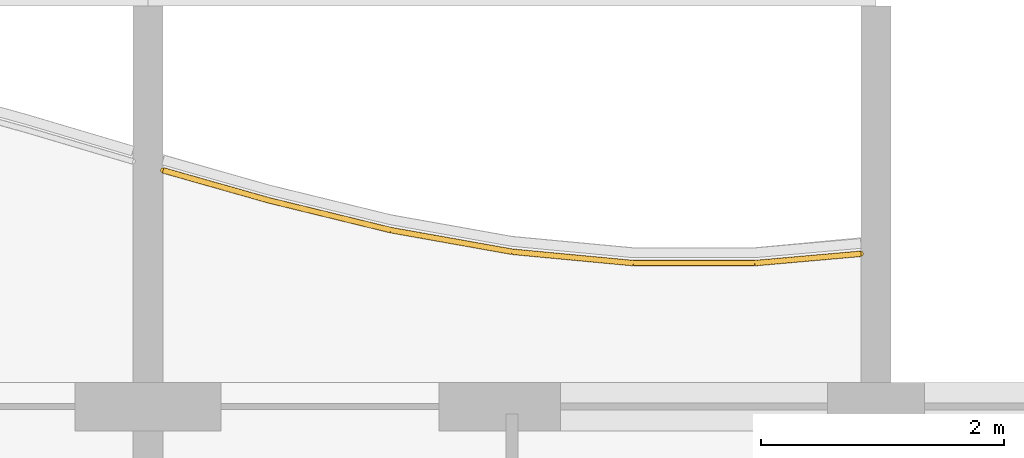
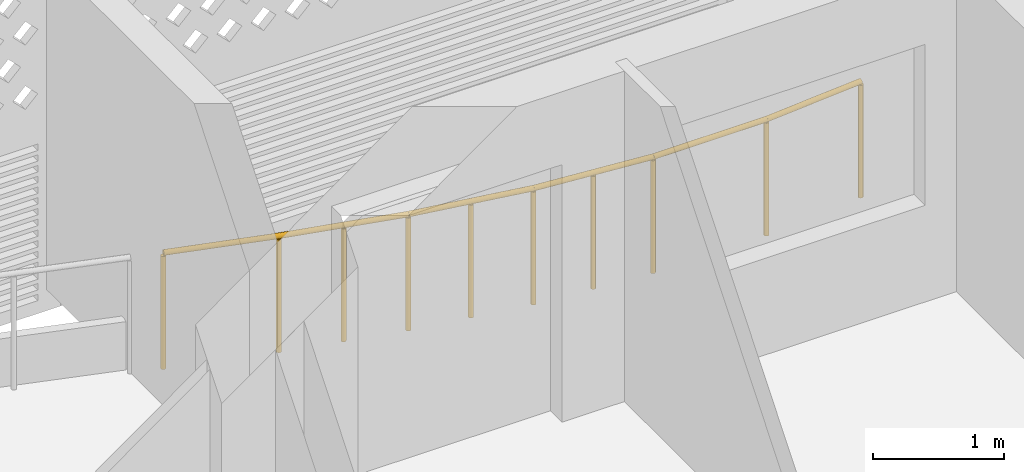
# One storey, part 22 of 27: 1 railing.
"""IFC4 building model written with IfcOpenShell, lengths in metres."""

import ifcopenshell
import ifcopenshell.guid

model = None  # the IFC model being written
_history = None  # IfcOwnerHistory: only IFC2X3 demands one
_inside = {}  # id of a spatial element -> (the spatial element, [elements in it])
_under = {}  # id of a project, library or spatial element -> (it, [spatial elements below it])
_declared = {}  # id of a project -> (the project, [libraries it declares])
_typed = {}  # id of a type object -> (the type object, [elements of that type])
_made_of = {}  # id of a material, layer set ... -> (it, [elements and type objects made of it])


def new_model(schema):
    """Start an empty IFC model of exactly this schema.

    Asked for "IFC4X3", IfcOpenShell would pick the latest addendum, in which some entities
    have other attributes; the version numbers below select the first issue.
    IFC2X3 requires an IfcOwnerHistory on every rooted entity: one is made here for all.
    """
    global model, _history
    if schema == "IFC4X3":
        model = ifcopenshell.file(schema_version=(4, 3, 0, 0))
    else:
        model = ifcopenshell.file(schema=schema)
    _inside.clear()
    _under.clear()
    _declared.clear()
    _typed.clear()
    _made_of.clear()
    _history = None
    if model.schema == "IFC2X3":
        org = make("IfcOrganization", Name="unknown")
        user = make(
            "IfcPersonAndOrganization",
            ThePerson=make("IfcPerson", FamilyName="unknown"),
            TheOrganization=org,
        )
        app = make(
            "IfcApplication",
            ApplicationDeveloper=org,
            Version="unknown",
            ApplicationFullName="unknown",
            ApplicationIdentifier="unknown",
        )
        _history = make(
            "IfcOwnerHistory",
            OwningUser=user,
            OwningApplication=app,
            ChangeAction="ADDED",
            CreationDate=0,
        )
    return model


def make(cls, **values):
    """One entity of the class cls with the attributes given. An attribute that is None is left unset."""
    return model.create_entity(
        cls, **{name: value for name, value in values.items() if value is not None}
    )


def rooted(cls, **values):
    """An entity with a GlobalId (a new one), such as an element, a storey or a relation."""
    return make(cls, GlobalId=ifcopenshell.guid.new(), OwnerHistory=_history, **values)


def si_unit(unit_type, name, prefix=None):
    """IfcSIUnit, for example si_unit("LENGTHUNIT", "METRE", prefix="MILLI")."""
    return make("IfcSIUnit", UnitType=unit_type, Prefix=prefix, Name=name)


def assignment(units):
    """IfcUnitAssignment: the units of a project."""
    return None if units is None else make("IfcUnitAssignment", Units=units)


def point(xyz):
    """IfcCartesianPoint."""
    return None if xyz is None else make("IfcCartesianPoint", Coordinates=xyz)


def direction(xyz):
    """IfcDirection."""
    return None if xyz is None else make("IfcDirection", DirectionRatios=xyz)


def frame(location, z_axis=None, x_axis=None):
    """IfcAxis2Placement3D, a coordinate frame: its origin and axes. An axis left out is left unset."""
    return make(
        "IfcAxis2Placement3D",
        Location=point(location),
        Axis=direction(z_axis),
        RefDirection=direction(x_axis),
    )


def frame_2d(location, x_axis=None):
    """IfcAxis2Placement2D, a coordinate frame in the plane: its origin and x axis."""
    return make(
        "IfcAxis2Placement2D", Location=point(location), RefDirection=direction(x_axis)
    )


def origin():
    """The frame at (0, 0, 0) with its axes left unset."""
    return frame((0.0, 0.0, 0.0))


def origin_2d():
    """The frame at (0, 0) in the plane with its x axis left unset."""
    return frame_2d((0.0, 0.0))


def place(relative_to, where):
    """IfcLocalPlacement: puts the frame where relative to a parent placement (None: the world)."""
    return make(
        "IfcLocalPlacement", PlacementRelTo=relative_to, RelativePlacement=where
    )


def context(
    kind, dimensions, precision=None, world=None, true_north=None, identifier=None
):
    """IfcGeometricRepresentationContext, for example the 3D "Model" context."""
    return make(
        "IfcGeometricRepresentationContext",
        ContextIdentifier=identifier,
        ContextType=kind,
        CoordinateSpaceDimension=dimensions,
        Precision=precision,
        WorldCoordinateSystem=world,
        TrueNorth=true_north,
    )


def subcontext(parent, identifier, kind, view, scale=None):
    """IfcGeometricRepresentationSubContext, for example "Body" below "Model"."""
    return make(
        "IfcGeometricRepresentationSubContext",
        ContextIdentifier=identifier,
        ContextType=kind,
        ParentContext=parent,
        TargetScale=scale,
        TargetView=view,
    )


def project(units=None, contexts=None):
    """IfcProject with its units and contexts."""
    return rooted(
        "IfcProject",
        Name="project",
        RepresentationContexts=contexts,
        UnitsInContext=assignment(units),
    )


def spatial(cls, under=None, at=None, **own):
    """A site, building, storey or space (cls), placed at a placement, below another one or the project."""
    s = rooted(cls, ObjectPlacement=at, **own)
    if under is not None:
        _under.setdefault(under.id(), (under, []))[1].append(s)
    return s


def profile(cls, at=None, kind="AREA", **sizes):
    """A parametric profile (cls). Its sizes go by their IFC names, for example OverallWidth=200.0."""
    return make(cls, ProfileType=kind, Position=at, **sizes)


def circle(**sizes):
    """IfcCircleProfileDef."""
    return profile("IfcCircleProfileDef", **sizes)


def extrude(swept, where, along, depth):
    """IfcExtrudedAreaSolid: the profile swept, set in the frame where, extruded along a direction by depth."""
    return make(
        "IfcExtrudedAreaSolid",
        SweptArea=swept,
        Position=where,
        ExtrudedDirection=direction(along),
        Depth=depth,
    )


def shape(context_of_items, identifier, shape_type, items):
    """IfcShapeRepresentation: the items that make up one representation, for example the "Body"."""
    return make(
        "IfcShapeRepresentation",
        ContextOfItems=context_of_items,
        RepresentationIdentifier=identifier,
        RepresentationType=shape_type,
        Items=items,
    )


def material(Name=None, Category=None):
    """IfcMaterial."""
    return make("IfcMaterial", Name=Name, Category=Category)


def made_of(thing, what):
    """Note that an element or type object is made of a material, layer set ...; save() writes the relation."""
    if what is not None:
        _made_of.setdefault(what.id(), (what, []))[1].append(thing)
    return thing


def type_object(cls, material=None, **own):
    """A type object (cls), such as IfcWallType, which elements share."""
    return made_of(rooted(cls, **own), material)


def element(
    cls,
    number,
    at=None,
    inside=None,
    cuts=None,
    type_object=None,
    material=None,
    context=None,
    identifier="Body",
    shape_type=None,
    held_by="IfcProductDefinitionShape",
    body=None,
    shapes=None,
    **own,
):
    """One element of the class cls, such as IfcWall. Its Tag is "e" and its number.

    at: its placement. inside: the storey or other place that contains it. cuts: it is an
    opening in that element (IfcRelVoidsElement). A single representation is given by context,
    identifier, shape_type and body (its items); several are given by shapes. held_by: the class
    of the entity that holds the representations. save() writes the other relations.
    """
    e = rooted(cls, Tag="e%d" % number, ObjectPlacement=at, **own)
    if body is not None:
        shapes = [shape(context, identifier, shape_type, body)]
    if shapes is not None:
        e.Representation = make(held_by, Representations=shapes)
    if inside is not None:
        _inside.setdefault(inside.id(), (inside, []))[1].append(e)
    if cuts is not None:
        rooted(
            "IfcRelVoidsElement", RelatingBuildingElement=cuts, RelatedOpeningElement=e
        )
    if type_object is not None:
        _typed.setdefault(type_object.id(), (type_object, []))[1].append(e)
    return made_of(e, material)


def aggregate(whole, parts):
    """IfcRelAggregates: a whole, such as a stair, and the parts it consists of."""
    return rooted("IfcRelAggregates", RelatingObject=whole, RelatedObjects=parts)


def save(model, path):
    """Write the relations noted so far, then the file.

    IfcRelAggregates (storeys below a building ...), IfcRelContainedInSpatialStructure (elements
    in a storey), IfcRelDefinesByType, IfcRelAssociatesMaterial and IfcRelDeclares: one each for
    every whole, place, type object, material and project.
    """
    for whole, parts in _under.values():
        aggregate(whole, parts)
    for where, things in _inside.values():
        rooted(
            "IfcRelContainedInSpatialStructure",
            RelatedElements=things,
            RelatingStructure=where,
        )
    for kind, things in _typed.values():
        rooted("IfcRelDefinesByType", RelatedObjects=things, RelatingType=kind)
    for what, things in _made_of.values():
        rooted("IfcRelAssociatesMaterial", RelatedObjects=things, RelatingMaterial=what)
    for by, libraries in _declared.values():
        rooted("IfcRelDeclares", RelatingContext=by, RelatedDefinitions=libraries)
    model.write(path)


model = new_model("IFC4")

# Units and contexts
model_context = context("Model", 3, precision=1e-05, world=origin(), true_north=direction((0.0, 1.0)))
body_context = subcontext(model_context, "Body", "Model", "MODEL_VIEW")
ifc_project = project(units=[si_unit("LENGTHUNIT", "METRE"), si_unit("AREAUNIT", "SQUARE_METRE"), si_unit("VOLUMEUNIT", "CUBIC_METRE"), si_unit("PLANEANGLEUNIT", "RADIAN"), si_unit("MASSUNIT", "GRAM", prefix="KILO")], contexts=[model_context])

# Site, building, storey
site_placement = place(None, origin())
site = spatial("IfcSite", under=ifc_project, at=site_placement, CompositionType="ELEMENT")
building_placement = place(site_placement, origin())
building = spatial("IfcBuilding", under=site, at=building_placement, Name="Poui Terraces", CompositionType="ELEMENT")
storey_placement = place(building_placement, frame((0.0, 0.0, 251.10009765625)))
storey = spatial("IfcBuildingStorey", under=building, at=storey_placement, Name="L70", CompositionType="ELEMENT", Elevation=251.10009765625)

# Railing
ifc_material = material(Name="Painted steel fretwork", Category="steel")
railing_type = type_object("IfcRailingType", Name="BALCONY GUARD 1100", PredefinedType="GUARDRAIL", material=ifc_material)
railing_placement = place(storey_placement, frame((54.125, 43.146484375, 0.0)))
element("IfcRailing", 1, at=railing_placement, inside=storey, type_object=railing_type, Name="BALCONY GUARD", PredefinedType="GUARDRAIL", context=body_context, shape_type="SweptSolid", body=[
    extrude(circle(Radius=0.02392578125, at=origin_2d()), frame((0.0, 0.0, 1.076171875), z_axis=(0.962089167331, -0.272735098775, 0.0), x_axis=(0.272735098775, 0.962089167331, 0.0)), (0.0, 0.0, 1.0), 0.909423828125),
    extrude(circle(Radius=0.02392578125, at=origin_2d()), frame((0.875, -0.248046875, 1.076171875), z_axis=(0.971467046504, -0.2371745719, 0.0), x_axis=(0.2371745719, 0.971467046504, 0.0)), (0.0, 0.0, 1.0), 1.029296875),
    extrude(circle(Radius=0.02392578125, at=origin_2d()), frame((1.875, -0.4921875, 1.076171875), z_axis=(0.984486939112, -0.175457877332, 0.0), x_axis=(0.175457877332, 0.984486939112, 0.0)), (0.0, 0.0, 1.0), 1.015869140625),
    extrude(circle(Radius=0.02392578125, at=origin_2d()), frame((2.875, -0.67041015625, 1.076171875), z_axis=(0.9956116077, -0.093581657462, 0.0), x_axis=(0.093581657462, 0.9956116077, 0.0)), (0.0, 0.0, 1.0), 1.00439453125),
    extrude(circle(Radius=0.02392578125, at=origin_2d()), frame((3.875, -0.764404296875, 1.076171875), z_axis=(1.0, 0.0, 0.0), x_axis=(0.0, 1.0, 0.0)), (0.0, 0.0, 1.0), 1.0),
    extrude(circle(Radius=0.02392578125, at=origin_2d()), frame((4.875, -0.764404296875, 1.076171875), z_axis=(0.996135573706, 0.087828917771, 0.0), x_axis=(-0.087828917771, 0.996135573706, 0.0)), (0.0, 0.0, 1.0), 0.87841796875),
    extrude(circle(Radius=0.02099609375, at=origin_2d()), origin(), (0.0, 0.0, 1.0), 1.052001953125),
    extrude(circle(Radius=0.02099609375, at=origin_2d()), frame((0.875, -0.248046875, 0.0)), (0.0, 0.0, 1.0), 1.052001953125),
    extrude(circle(Radius=0.02099609375, at=origin_2d()), frame((1.375, -0.3701171875, 0.0)), (0.0, 0.0, 1.0), 1.052001953125),
    extrude(circle(Radius=0.02099609375, at=origin_2d()), frame((1.875, -0.4921875, 0.0)), (0.0, 0.0, 1.0), 1.052001953125),
    extrude(circle(Radius=0.02099609375, at=origin_2d()), frame((2.375, -0.581298828125, 0.0)), (0.0, 0.0, 1.0), 1.052001953125),
    extrude(circle(Radius=0.02099609375, at=origin_2d()), frame((2.875, -0.67041015625, 0.0)), (0.0, 0.0, 1.0), 1.052001953125),
    extrude(circle(Radius=0.02099609375, at=origin_2d()), frame((3.375, -0.71728515625, 0.0)), (0.0, 0.0, 1.0), 1.052001953125),
    extrude(circle(Radius=0.02099609375, at=origin_2d()), frame((3.875, -0.764404296875, 0.0)), (0.0, 0.0, 1.0), 1.052001953125),
    extrude(circle(Radius=0.02099609375, at=origin_2d()), frame((4.875, -0.764404296875, 0.0)), (0.0, 0.0, 1.0), 1.052001953125),
    extrude(circle(Radius=0.02099609375, at=origin_2d()), frame((5.75, -0.687255859375, 0.0)), (0.0, 0.0, 1.0), 1.052001953125),
])

save(model, "model.ifc")
